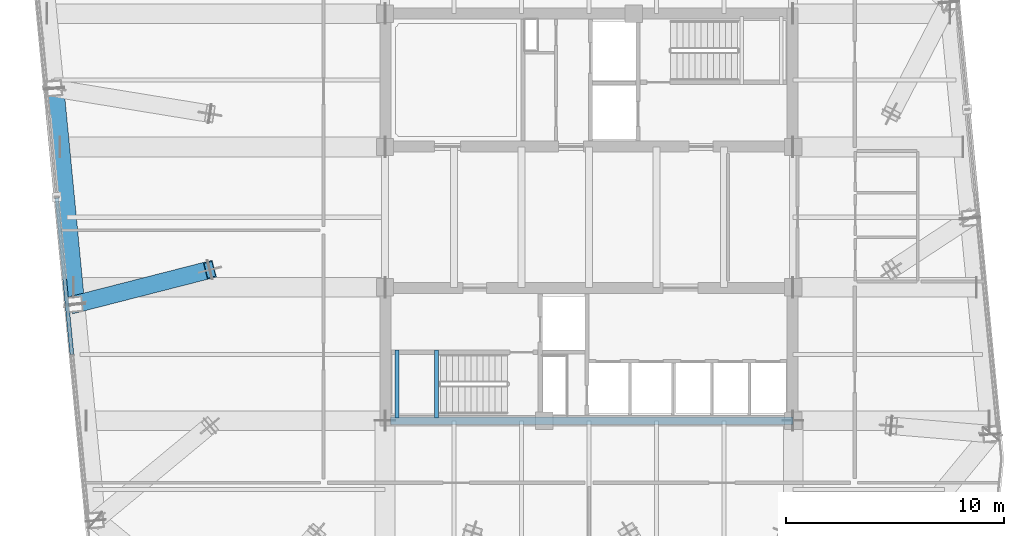
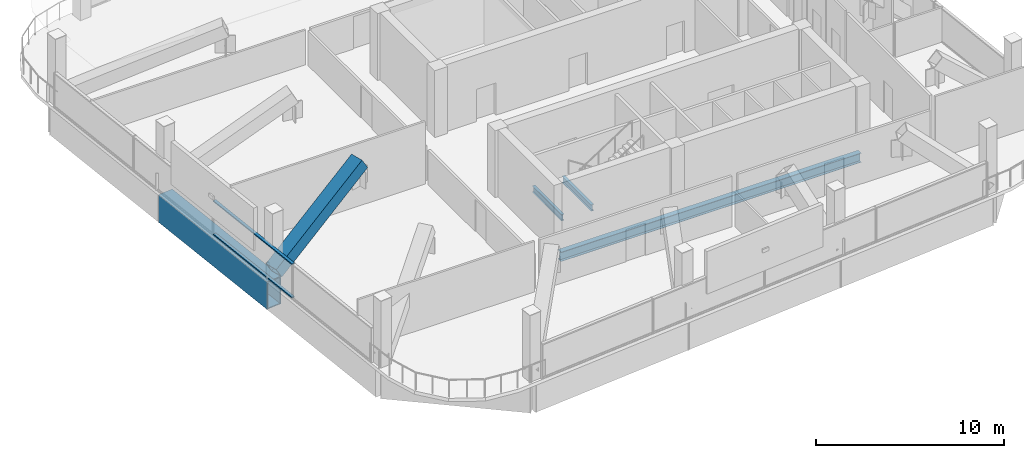
# One storey, part 5 of 22: 4 beams, 3 members, 1 element without a shape of its own.
"""IFC4 building model written with IfcOpenShell, lengths in metres."""

from ifc_helpers import new_model, si_unit, direction, frame, origin, origin_2d, place, context, subcontext, project, spatial, hollow_rectangle, i_section, extrude, material, layer, layer_set, material_profile, profile_set, type_object, element, aggregate, save


model = new_model("IFC4")

# Units and contexts
model_context = context("Model", 3, precision=1e-05, world=origin(), true_north=direction((0.0, 1.0)))
body_context = subcontext(model_context, "Body", "Model", "MODEL_VIEW")
ifc_project = project(units=[si_unit("LENGTHUNIT", "METRE"), si_unit("AREAUNIT", "SQUARE_METRE"), si_unit("VOLUMEUNIT", "CUBIC_METRE"), si_unit("PLANEANGLEUNIT", "RADIAN"), si_unit("MASSUNIT", "GRAM", prefix="KILO")], contexts=[model_context])

# Site, building, storey
site_placement = place(None, origin())
site = spatial("IfcSite", under=ifc_project, at=site_placement, CompositionType="ELEMENT")
building_placement = place(site_placement, origin())
building = spatial("IfcBuilding", under=site, at=building_placement, Name="Qhalaya Broadcast Tower", CompositionType="ELEMENT")
storey_placement = place(building_placement, frame((0.0, 0.0, 183.60009765625)))
storey = spatial("IfcBuildingStorey", under=building, at=storey_placement, Name="L54", CompositionType="ELEMENT", Elevation=183.60009765625)

# Beams
ifc_material_1 = material(Name="Structural Steel ASTM A572 Grade 50", Category="steel")
ifc_material_profile_1 = material_profile(ifc_material_1, hollow_rectangle(XDim=0.89990234375, YDim=1.800048828125, WallThickness=0.06005859375, at=origin_2d()), Name="BOX 900x1800x60")
ifc_profile_set_1 = profile_set([ifc_material_profile_1], Name="Structural Steel ASTM A572 Grade 50")
beam_type_1 = type_object("IfcBeamType", Name="Block Cantilever Transfer Box Girder TG1", PredefinedType="USERDEFINED", material=ifc_profile_set_1)
beam_1_placement = place(storey_placement, frame((-24.572509765625, 6.521240234375, -1.1201171875), z_axis=(0.095850563819, -0.99539573508, 0.0), x_axis=(0.99539573508, 0.095850563819, 0.0)))
element("IfcBeam", 1, at=beam_1_placement, inside=storey, type_object=beam_type_1, Name="L54 TG1 L54-SPR-14", ObjectType="GIRDER", PredefinedType="USERDEFINED", context=body_context, shape_type="SweptSolid", body=[
    extrude(hollow_rectangle(XDim=0.89990234375, YDim=1.800048828125, WallThickness=0.06005859375, at=origin_2d()), origin(), (0.0, 0.0, 1.0), 9.966796875),
])
ifc_material_2 = material(Name="Structural Steel ASTM A992 Grade 50", Category="steel")
ifc_material_profile_2 = material_profile(ifc_material_2, i_section(OverallWidth=0.323974609375, OverallDepth=0.612060546875, WebThickness=0.0126953125, FlangeThickness=0.01904296875, at=origin_2d()), Name="W24X104")
ifc_profile_set_2 = profile_set([ifc_material_profile_2], Name="Structural Steel ASTM A992 Grade 50")
beam_type_2 = type_object("IfcBeamType", Name="Core Frame Tie Beam B04", PredefinedType="BEAM", material=ifc_profile_set_2)
beam_2_placement = place(storey_placement, frame((-9.1201171875, -8.75, -0.526123046875), z_axis=(1.0, 0.0, 0.0), x_axis=(0.0, 1.0, 0.0)))
element("IfcBeam", 2, at=beam_2_placement, inside=storey, type_object=beam_type_2, Name="L54 B04 L54-CCS3", PredefinedType="BEAM", context=body_context, shape_type="SweptSolid", body=[
    extrude(i_section(OverallWidth=0.323974609375, OverallDepth=0.612060546875, WebThickness=0.0126953125, FlangeThickness=0.01904296875, at=origin_2d()), origin(), (0.0, 0.0, 1.0), 18.4951171875),
])

# Curtain wall, members
ifc_material_3 = material(Name="Fired Architectural Terracotta", Category="masonry")
ifc_layer = layer(ifc_material_3, 0.219970703125, Name="Fired Architectural Terracotta")
ifc_layer_set = layer_set([ifc_layer], Name="Fired Architectural Terracotta")
curtain_wall_type = type_object("IfcCurtainWallType", Name="Block-Cap Unitised Terracotta Spandrel Wall CW-07", PredefinedType="NOTDEFINED", material=ifc_layer_set)
curtain_wall_placement = place(storey_placement, origin())
curtain_wall = element("IfcCurtainWall", 3, at=curtain_wall_placement, inside=storey, type_object=curtain_wall_type, Name="L54 Unitised Curtain Wall L54-CW-W", PredefinedType="NOTDEFINED")
ifc_material_4 = material(Name="Anodised Aluminium 6063-T6", Category="aluminium")
ifc_material_profile_3 = material_profile(ifc_material_4, hollow_rectangle(XDim=0.074951171875, YDim=0.179931640625, WallThickness=0.00390625, at=origin_2d()), Name="ALU-TRN 75x180x4")
ifc_profile_set_3 = profile_set([ifc_material_profile_3], Name="Anodised Aluminium 6063-T6")
member_type_1 = type_object("IfcMemberType", Name="Unitised Curtain-Wall Transom T01", PredefinedType="USERDEFINED", material=ifc_profile_set_3)
member_1_placement = place(storey_placement, frame((-23.756591796875, -5.708740234375, 0.037353515625), z_axis=(-0.095852653168, 0.995395533886, 0.0), x_axis=(0.0, 0.0, 1.0)))
member_1 = element("IfcMember", 4, at=member_1_placement, type_object=member_type_1, Name="CW-07 transom 2.1", ObjectType="TRANSOM", PredefinedType="USERDEFINED", context=body_context, shape_type="SweptSolid", body=[
    extrude(hollow_rectangle(XDim=0.074951171875, YDim=0.179931640625, WallThickness=0.00390625, at=origin_2d()), origin(), (0.0, 0.0, 1.0), 7.23095703125),
])
member_2_placement = place(storey_placement, frame((-23.756591796875, -5.708740234375, 2.21240234375), z_axis=(-0.095852653168, 0.995395533886, 0.0), x_axis=(0.0, 0.0, 1.0)))
member_2 = element("IfcMember", 5, at=member_2_placement, type_object=member_type_1, Name="CW-07 transom 2.2", ObjectType="TRANSOM", PredefinedType="USERDEFINED", context=body_context, shape_type="SweptSolid", body=[
    extrude(hollow_rectangle(XDim=0.074951171875, YDim=0.179931640625, WallThickness=0.00390625, at=origin_2d()), origin(), (0.0, 0.0, 1.0), 7.23095703125),
])
aggregate(curtain_wall, [member_1, member_2])

# Member
ifc_material_profile_4 = material_profile(ifc_material_1, hollow_rectangle(XDim=0.800048828125, YDim=0.800048828125, WallThickness=0.050048828125, at=origin_2d()), Name="BOX 800x800x50")
ifc_profile_set_4 = profile_set([ifc_material_profile_4], Name="Structural Steel ASTM A572 Grade 50")
member_type_2 = type_object("IfcMemberType", Name="Upper Exoskeleton Transfer Strut RK2", PredefinedType="BRACE", material=ifc_profile_set_4)
member_3_placement = place(storey_placement, frame((-23.6171875, -3.399658203125, 0.34912109375), z_axis=(0.821361699683, 0.210258758452, 0.530241655086), x_axis=(-0.247991521907, 0.968762202536, 0.0)))
element("IfcMember", 6, at=member_3_placement, inside=storey, type_object=member_type_2, Name="L54 Inclined Exoskeleton Transfer Strut 15", PredefinedType="BRACE", context=body_context, shape_type="SweptSolid", body=[
    extrude(hollow_rectangle(XDim=0.800048828125, YDim=0.800048828125, WallThickness=0.050048828125, at=origin_2d()), origin(), (0.0, 0.0, 1.0), 7.545166015625),
])

# Beams
ifc_material_profile_5 = material_profile(ifc_material_2, i_section(OverallWidth=0.177978515625, OverallDepth=0.406005859375, WebThickness=0.0078125, FlangeThickness=0.0126953125, at=origin_2d()), Name="W16X40")
ifc_profile_set_5 = profile_set([ifc_material_profile_5], Name="Structural Steel ASTM A992 Grade 50")
beam_type_3 = type_object("IfcBeamType", Name="Upper Perimeter Spandrel Beam SP2", PredefinedType="SPANDREL", material=ifc_profile_set_5)
for number, where, z_axis, x_axis, name in (
    (7, (-8.830078125, -8.6201171875, 1.77197265625), (0.0, 1.0, 0.0), (-1.0, 0.0, 0.0), "L54 ST-2 Half-Landing Bearer Beam 1"),
    (8, (-7.014892578125, -8.6201171875, 1.77197265625), (0.0, 1.0, 0.0), (-1.0, 0.0, 0.0), "L54 ST-2 Half-Landing Bearer Beam 2"),
):
    element("IfcBeam", number, at=place(storey_placement, frame(where, z_axis=z_axis, x_axis=x_axis)), inside=storey, type_object=beam_type_3, Name=name, PredefinedType="SPANDREL", context=body_context, shape_type="SweptSolid", body=[
        extrude(i_section(OverallWidth=0.177978515625, OverallDepth=0.406005859375, WebThickness=0.0078125, FlangeThickness=0.0126953125, at=origin_2d()), origin(), (0.0, 0.0, 1.0), 3.1201171875),
    ])

save(model, "model.ifc")
